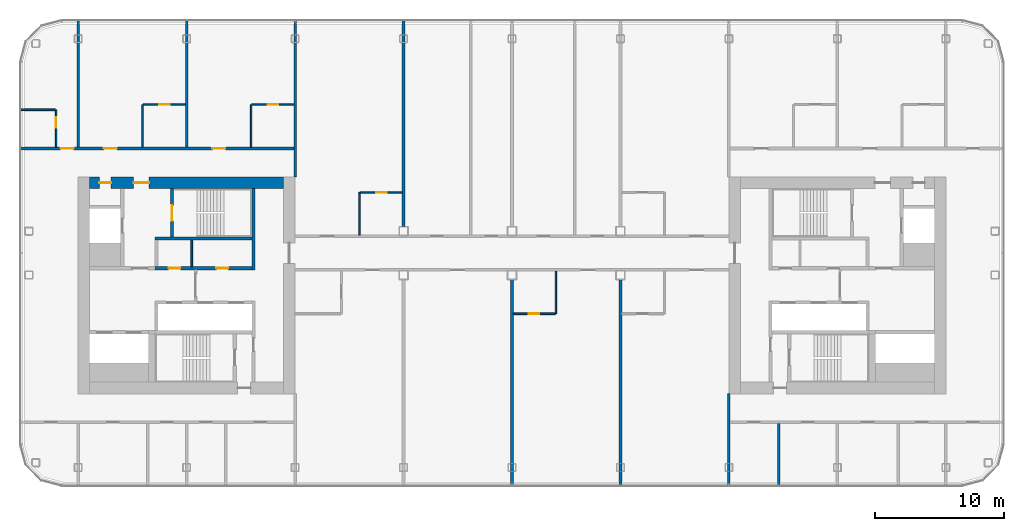
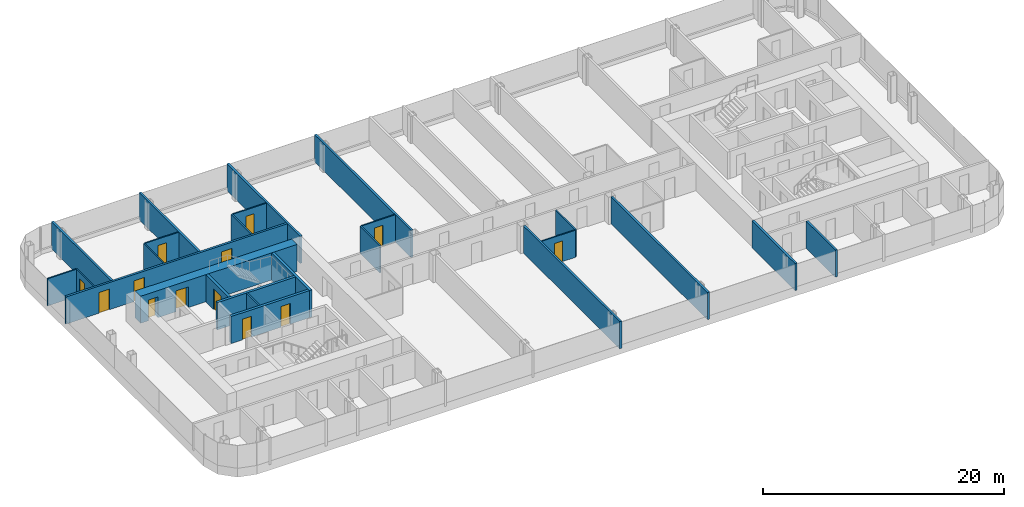
# One storey, part 14 of 25: 25 walls, 13 doors, 13 openings.
"""IFC4 building model written with IfcOpenShell, lengths in metres."""

from ifc_helpers import new_model, si_unit, direction, frame, frame_2d, origin, place, context, subcontext, project, spatial, rectangle, extrude, material, layer, layer_set, type_object, element, fill, save


model = new_model("IFC4")

# Units and contexts
model_context = context("Model", 3, precision=1e-05, world=origin(), true_north=direction((0.0, 1.0)))
body_context = subcontext(model_context, "Body", "Model", "MODEL_VIEW")
ifc_project = project(units=[si_unit("LENGTHUNIT", "METRE"), si_unit("AREAUNIT", "SQUARE_METRE"), si_unit("VOLUMEUNIT", "CUBIC_METRE"), si_unit("PLANEANGLEUNIT", "RADIAN"), si_unit("MASSUNIT", "GRAM", prefix="KILO")], contexts=[model_context])

# Site, building, storey
site_placement = place(None, origin())
site = spatial("IfcSite", under=ifc_project, at=site_placement, CompositionType="ELEMENT")
building_placement = place(site_placement, origin())
building = spatial("IfcBuilding", under=site, at=building_placement, Name="Hakoniwa Tower and Hamabe Station Hall", CompositionType="ELEMENT")
storey_placement = place(building_placement, frame((0.0, 0.0, 186.60009765625)))
storey = spatial("IfcBuildingStorey", under=building, at=storey_placement, Name="L52", CompositionType="ELEMENT", Elevation=186.60009765625)

# Wall, opening, door
ifc_material_1 = material(Name="Gypsum board partition", Category="gypsum")
ifc_layer_1 = layer(ifc_material_1, 0.125)
ifc_layer_set_1 = layer_set([ifc_layer_1], Name="Bathroom Partition 125")
wall_type_1 = type_object("IfcWallType", Name="Bathroom Partition 125", PredefinedType="PARTITIONING", material=ifc_layer_set_1)
wall_1_placement = place(storey_placement, frame((0.10009765625, -2.199951171875, 0.0), z_axis=(0.0, 0.0, 1.0), x_axis=(1.0, 0.0, 0.0)))
wall_1 = element("IfcWall", 1, at=wall_1_placement, inside=storey, type_object=wall_type_1, Name="GW-L52-004", PredefinedType="PARTITIONING", context=body_context, shape_type="SweptSolid", body=[
    extrude(rectangle(XDim=3.2373046875, YDim=0.125, at=frame_2d((1.61865234375, 0.0))), origin(), (0.0, 0.0, 1.0), 2.75),
])
opening_1_placement = place(wall_1_placement, frame((1.199951171875, 0.0, 0.0)))
opening_1 = element("IfcOpeningElement", 2, at=opening_1_placement, cuts=wall_1, Name="Opening GD-G4A0-11", PredefinedType="OPENING", context=body_context, shape_type="SweptSolid", body=[
    extrude(rectangle(XDim=0.800048828125, YDim=2.10009765625, at=frame_2d((0.39990234375, 1.050048828125))), frame((0.0, 0.072509765625, 0.0), z_axis=(0.0, -1.0, 0.0), x_axis=(1.0, 0.0, 0.0)), (0.0, 0.0, 1.0), 0.14501953125),
])
ifc_material_2 = material(Name="Timber door leaf", Category="wood")
door_type_1 = type_object("IfcDoorType", Name="Bathroom Door 800", OperationType="SINGLE_SWING_LEFT", PredefinedType="DOOR", material=ifc_material_2)
door_1_placement = place(opening_1_placement, origin())
door_1 = element("IfcDoor", 3, at=door_1_placement, inside=storey, type_object=door_type_1, Name="Door GD-G4A0-11", OperationType="SINGLE_SWING_RIGHT", OverallHeight=2.10009765625, OverallWidth=0.800048828125, PredefinedType="DOOR", context=body_context, shape_type="SweptSolid", body=[
    extrude(rectangle(XDim=0.800048828125, YDim=2.10009765625, at=frame_2d((0.39990234375, 1.050048828125))), frame((0.0, 0.02490234375, 0.0), z_axis=(0.0, -1.0, 0.0), x_axis=(1.0, 0.0, 0.0)), (0.0, 0.0, 1.0), 0.050048828125),
])
fill(opening_1, door_1)

wall_2_placement = place(storey_placement, frame((-11.737548828125, 7.199951171875, 0.0), z_axis=(0.0, 0.0, 1.0), x_axis=(1.0, 0.0, 0.0)))
wall_2 = element("IfcWall", 4, at=wall_2_placement, inside=storey, type_object=wall_type_1, Name="GW-L52-008", PredefinedType="PARTITIONING", context=body_context, shape_type="SweptSolid", body=[
    extrude(rectangle(XDim=3.237548828125, YDim=0.125, at=frame_2d((1.61865234375, 0.0))), origin(), (0.0, 0.0, 1.0), 2.75),
])
opening_2_placement = place(wall_2_placement, frame((1.237548828125, 0.0, 0.0)))
opening_2 = element("IfcOpeningElement", 5, at=opening_2_placement, cuts=wall_2, Name="Opening GD-G4A0-23", PredefinedType="OPENING", context=body_context, shape_type="SweptSolid", body=[
    extrude(rectangle(XDim=0.800048828125, YDim=2.10009765625, at=frame_2d((0.39990234375, 1.050048828125))), frame((0.0, 0.072509765625, 0.0), z_axis=(0.0, -1.0, 0.0), x_axis=(1.0, 0.0, 0.0)), (0.0, 0.0, 1.0), 0.14501953125),
])
door_2_placement = place(opening_2_placement, origin())
door_2 = element("IfcDoor", 6, at=door_2_placement, inside=storey, type_object=door_type_1, Name="Door GD-G4A0-23", OperationType="SINGLE_SWING_RIGHT", OverallHeight=2.10009765625, OverallWidth=0.800048828125, PredefinedType="DOOR", context=body_context, shape_type="SweptSolid", body=[
    extrude(rectangle(XDim=0.800048828125, YDim=2.10009765625, at=frame_2d((0.39990234375, 1.050048828125))), frame((0.0, 0.02490234375, 0.0), z_axis=(0.0, -1.0, 0.0), x_axis=(1.0, 0.0, 0.0)), (0.0, 0.0, 1.0), 0.050048828125),
])
fill(opening_2, door_2)

# Wall
wall_3_placement = place(storey_placement, frame((-38.10009765625, 13.60009765625, 0.0), z_axis=(0.0, 0.0, 1.0), x_axis=(1.0, 0.0, 0.0)))
element("IfcWall", 7, at=wall_3_placement, inside=storey, type_object=wall_type_1, Name="GW-L52-012", PredefinedType="PARTITIONING", context=body_context, shape_type="SweptSolid", body=[
    extrude(rectangle(XDim=2.737548828125, YDim=0.125, at=frame_2d((1.36865234375, 0.0))), origin(), (0.0, 0.0, 1.0), 2.75),
])

# Wall, opening, door
wall_4_placement = place(storey_placement, frame((-28.53759765625, 14.0, 0.0), z_axis=(0.0, 0.0, 1.0), x_axis=(1.0, 0.0, 0.0)))
wall_4 = element("IfcWall", 8, at=wall_4_placement, inside=storey, type_object=wall_type_1, Name="GW-L52-013", PredefinedType="PARTITIONING", context=body_context, shape_type="SweptSolid", body=[
    extrude(rectangle(XDim=3.237548828125, YDim=0.125, at=frame_2d((1.61865234375, 0.0))), origin(), (0.0, 0.0, 1.0), 2.75),
])
opening_3_placement = place(wall_4_placement, frame((1.237548828125, 0.0, 0.0)))
opening_3 = element("IfcOpeningElement", 9, at=opening_3_placement, cuts=wall_4, Name="Opening GD-G4A0-31", PredefinedType="OPENING", context=body_context, shape_type="SweptSolid", body=[
    extrude(rectangle(XDim=0.800048828125, YDim=2.10009765625, at=frame_2d((0.39990234375, 1.050048828125))), frame((0.0, 0.072509765625, 0.0), z_axis=(0.0, -1.0, 0.0), x_axis=(1.0, 0.0, 0.0)), (0.0, 0.0, 1.0), 0.14501953125),
])
door_3_placement = place(opening_3_placement, origin())
door_3 = element("IfcDoor", 10, at=door_3_placement, inside=storey, type_object=door_type_1, Name="Door GD-G4A0-31", OperationType="SINGLE_SWING_LEFT", OverallHeight=2.10009765625, OverallWidth=0.800048828125, PredefinedType="DOOR", context=body_context, shape_type="SweptSolid", body=[
    extrude(rectangle(XDim=0.800048828125, YDim=2.10009765625, at=frame_2d((0.39990234375, 1.050048828125))), frame((0.0, 0.02490234375, 0.0), z_axis=(0.0, -1.0, 0.0), x_axis=(1.0, 0.0, 0.0)), (0.0, 0.0, 1.0), 0.050048828125),
])
fill(opening_3, door_3)

wall_5_placement = place(storey_placement, frame((-20.137451171875, 14.0, 0.0), z_axis=(0.0, 0.0, 1.0), x_axis=(1.0, 0.0, 0.0)))
wall_5 = element("IfcWall", 11, at=wall_5_placement, inside=storey, type_object=wall_type_1, Name="GW-L52-014", PredefinedType="PARTITIONING", context=body_context, shape_type="SweptSolid", body=[
    extrude(rectangle(XDim=3.237548828125, YDim=0.125, at=frame_2d((1.61865234375, 0.0))), origin(), (0.0, 0.0, 1.0), 2.75),
])
opening_4_placement = place(wall_5_placement, frame((1.237548828125, 0.0, 0.0)))
opening_4 = element("IfcOpeningElement", 12, at=opening_4_placement, cuts=wall_5, Name="Opening GD-G4A0-32", PredefinedType="OPENING", context=body_context, shape_type="SweptSolid", body=[
    extrude(rectangle(XDim=0.800048828125, YDim=2.10009765625, at=frame_2d((0.39990234375, 1.050048828125))), frame((0.0, 0.072509765625, 0.0), z_axis=(0.0, -1.0, 0.0), x_axis=(1.0, 0.0, 0.0)), (0.0, 0.0, 1.0), 0.14501953125),
])
door_4_placement = place(opening_4_placement, origin())
door_4 = element("IfcDoor", 13, at=door_4_placement, inside=storey, type_object=door_type_1, Name="Door GD-G4A0-32", OperationType="SINGLE_SWING_RIGHT", OverallHeight=2.10009765625, OverallWidth=0.800048828125, PredefinedType="DOOR", context=body_context, shape_type="SweptSolid", body=[
    extrude(rectangle(XDim=0.800048828125, YDim=2.10009765625, at=frame_2d((0.39990234375, 1.050048828125))), frame((0.0, 0.02490234375, 0.0), z_axis=(0.0, -1.0, 0.0), x_axis=(1.0, 0.0, 0.0)), (0.0, 0.0, 1.0), 0.050048828125),
])
fill(opening_4, door_4)

wall_6_placement = place(storey_placement, frame((-35.300048828125, 10.699951171875, 0.0), z_axis=(0.0, 0.0, 1.0), x_axis=(0.0, 1.0, 0.0)))
wall_6 = element("IfcWall", 14, at=wall_6_placement, inside=storey, type_object=wall_type_1, Name="GW-L52-017", PredefinedType="PARTITIONING", context=body_context, shape_type="SweptSolid", body=[
    extrude(rectangle(XDim=2.900146484375, YDim=0.125, at=frame_2d((1.4501953125, 0.0))), origin(), (0.0, 0.0, 1.0), 2.75),
])
opening_5_placement = place(wall_6_placement, frame((1.5, 0.0, 0.0)))
opening_5 = element("IfcOpeningElement", 15, at=opening_5_placement, cuts=wall_6, Name="Opening GD-G4A0-35", PredefinedType="OPENING", context=body_context, shape_type="SweptSolid", body=[
    extrude(rectangle(XDim=0.800048828125, YDim=2.10009765625, at=frame_2d((0.39990234375, 1.050048828125))), frame((0.0, 0.072509765625, 0.0), z_axis=(0.0, -1.0, 0.0), x_axis=(1.0, 0.0, 0.0)), (0.0, 0.0, 1.0), 0.14501953125),
])
door_5_placement = place(opening_5_placement, origin())
door_5 = element("IfcDoor", 16, at=door_5_placement, inside=storey, type_object=door_type_1, Name="Door GD-G4A0-35", OperationType="SINGLE_SWING_LEFT", OverallHeight=2.10009765625, OverallWidth=0.800048828125, PredefinedType="DOOR", context=body_context, shape_type="SweptSolid", body=[
    extrude(rectangle(XDim=0.800048828125, YDim=2.10009765625, at=frame_2d((0.39990234375, 1.050048828125))), frame((0.0, 0.02490234375, 0.0), z_axis=(0.0, -1.0, 0.0), x_axis=(1.0, 0.0, 0.0)), (0.0, 0.0, 1.0), 0.050048828125),
])
fill(opening_5, door_5)

# Walls
for number, where, z_axis, x_axis, name in (
    (17, (-28.60009765625, 10.699951171875, 0.0), (0.0, 0.0, 1.0), (0.0, 1.0, 0.0), "GW-L52-020"),
    (18, (-20.199951171875, 10.699951171875, 0.0), (0.0, 0.0, 1.0), (0.0, 1.0, 0.0), "GW-L52-025"),
    (19, (-11.800048828125, 3.89990234375, 0.0), (0.0, 0.0, 1.0), (0.0, 1.0, 0.0), "GW-L52-029"),
    (20, (3.39990234375, -2.199951171875, 0.0), (0.0, 0.0, 1.0), (0.0, 1.0, 0.0), "GW-L52-035"),
):
    element("IfcWall", number, at=place(storey_placement, frame(where, z_axis=z_axis, x_axis=x_axis)), inside=storey, type_object=wall_type_1, Name=name, PredefinedType="PARTITIONING", context=body_context, shape_type="SweptSolid", body=[
        extrude(rectangle(XDim=3.300048828125, YDim=0.125, at=frame_2d((1.64990234375, 0.0))), origin(), (0.0, 0.0, 1.0), 2.75),
    ])
ifc_material_3 = material(Name="Gypsum board partition")
ifc_layer_2 = layer(ifc_material_3, 0.14990234375)
ifc_layer_set_2 = layer_set([ifc_layer_2], Name="CORE PARTITION 150 EI 60")
wall_type_2 = type_object("IfcWallType", Name="CORE PARTITION 150 EI 60", PredefinedType="PARTITIONING", material=ifc_layer_set_2)
wall_7_placement = place(storey_placement, frame((-24.800048828125, 1.449951171875, 0.0), z_axis=(0.0, 0.0, 1.0), x_axis=(0.0, 1.0, 0.0)))
element("IfcWall", 21, at=wall_7_placement, inside=storey, type_object=wall_type_2, Name="Core partition PFLR0 west", PredefinedType="PARTITIONING", context=body_context, shape_type="SweptSolid", body=[
    extrude(rectangle(XDim=2.050048828125, YDim=0.14990234375, at=frame_2d((1.02490234375, 0.0))), origin(), (0.0, 0.0, 1.0), 2.75),
])

# Wall, openings, doors
ifc_material_4 = material(Name="Concrete C60", Category="concrete")
ifc_layer_3 = layer(ifc_material_4, 0.89990234375)
ifc_layer_set_3 = layer_set([ifc_layer_3], Name="CORE WALL 900 C60")
wall_type_3 = type_object("IfcWallType", Name="CORE WALL 900 C60", PredefinedType="SHEAR", material=ifc_layer_set_3)
wall_8_placement = place(storey_placement, frame((-32.699951171875, 7.949951171875, 0.0), z_axis=(0.0, 0.0, 1.0), x_axis=(1.0, 0.0, 0.0)))
wall_8 = element("IfcWall", 22, at=wall_8_placement, inside=storey, type_object=wall_type_3, Name="Core wall NORTH west", PredefinedType="SHEAR", context=body_context, shape_type="SweptSolid", body=[
    extrude(rectangle(XDim=15.0, YDim=0.89990234375, at=frame_2d((7.5, 0.0))), origin(), (0.0, 0.0, 1.0), 2.75),
])
opening_6_placement = place(wall_8_placement, frame((3.39990234375, 0.0, 0.0)))
opening_6 = element("IfcOpeningElement", 23, at=opening_6_placement, cuts=wall_8, Name="Opening CD-W-FN1-12", PredefinedType="OPENING", context=body_context, shape_type="SweptSolid", body=[
    extrude(rectangle(XDim=1.199951171875, YDim=2.10009765625, at=frame_2d((0.60009765625, 1.050048828125))), frame((0.0, 0.4599609375, 0.0), z_axis=(0.0, -1.0, 0.0), x_axis=(1.0, 0.0, 0.0)), (0.0, 0.0, 1.0), 0.919921875),
])
opening_7_placement = place(wall_8_placement, frame((0.75, 0.0, 0.0)))
opening_7 = element("IfcOpeningElement", 24, at=opening_7_placement, cuts=wall_8, Name="Opening CD-W-FN2-9", PredefinedType="OPENING", context=body_context, shape_type="SweptSolid", body=[
    extrude(rectangle(XDim=0.89990234375, YDim=2.10009765625, at=frame_2d((0.449951171875, 1.050048828125))), frame((0.0, 0.4599609375, 0.0), z_axis=(0.0, -1.0, 0.0), x_axis=(1.0, 0.0, 0.0)), (0.0, 0.0, 1.0), 0.919921875),
])
ifc_material_5 = material(Name="Steel fire door", Category="steel")
door_type_2 = type_object("IfcDoorType", Name="CORE DOOR 1200 FD60", OperationType="DOUBLE_DOOR_SINGLE_SWING", PredefinedType="DOOR", material=ifc_material_5)
door_6_placement = place(opening_6_placement, origin())
door_6 = element("IfcDoor", 25, at=door_6_placement, inside=storey, type_object=door_type_2, Name="Stair vestibule door to the fire-fighting lobby", OperationType="DOUBLE_DOOR_SINGLE_SWING", OverallHeight=2.10009765625, OverallWidth=1.199951171875, PredefinedType="DOOR", context=body_context, shape_type="SweptSolid", body=[
    extrude(rectangle(XDim=1.199951171875, YDim=2.10009765625, at=frame_2d((0.60009765625, 1.050048828125))), frame((0.0, 0.02490234375, 0.0), z_axis=(0.0, -1.0, 0.0), x_axis=(1.0, 0.0, 0.0)), (0.0, 0.0, 1.0), 0.050048828125),
])
fill(opening_6, door_6)
ifc_material_6 = material(Name="Steel fire door", Category="steel")
door_type_3 = type_object("IfcDoorType", Name="CORE DOOR 900 FD30", OperationType="NOTDEFINED", PredefinedType="DOOR", material=ifc_material_6)
door_7_placement = place(opening_7_placement, origin())
door_7 = element("IfcDoor", 26, at=door_7_placement, inside=storey, type_object=door_type_3, Name="Riser access door", OperationType="SINGLE_SWING_LEFT", OverallHeight=2.10009765625, OverallWidth=0.89990234375, PredefinedType="DOOR", context=body_context, shape_type="SweptSolid", body=[
    extrude(rectangle(XDim=0.89990234375, YDim=2.10009765625, at=frame_2d((0.449951171875, 1.050048828125))), frame((0.0, 0.02490234375, 0.0), z_axis=(0.0, -1.0, 0.0), x_axis=(1.0, 0.0, 0.0)), (0.0, 0.0, 1.0), 0.050048828125),
])
fill(opening_7, door_7)

# Wall
ifc_material_7 = material(Name="Concrete C60", Category="concrete")
ifc_layer_4 = layer(ifc_material_7, 0.25)
ifc_layer_set_4 = layer_set([ifc_layer_4], Name="CORE WEB WALL 250 C60")
wall_type_4 = type_object("IfcWallType", Name="CORE WEB WALL 250 C60", PredefinedType="SHEAR", material=ifc_layer_set_4)
wall_9_placement = place(storey_placement, frame((-20.02490234375, 1.199951171875, 0.0), z_axis=(0.0, 0.0, 1.0), x_axis=(0.0, 1.0, 0.0)))
element("IfcWall", 27, at=wall_9_placement, inside=storey, type_object=wall_type_4, Name="Core wall W1N west", PredefinedType="SHEAR", context=body_context, shape_type="SweptSolid", body=[
    extrude(rectangle(XDim=6.300048828125, YDim=0.25, at=frame_2d((3.14990234375, 0.0))), origin(), (0.0, 0.0, 1.0), 2.75),
])

# Wall, openings, doors
wall_10_placement = place(storey_placement, frame((-27.64990234375, 1.324951171875, 0.0), z_axis=(0.0, 0.0, 1.0), x_axis=(1.0, 0.0, 0.0)))
wall_10 = element("IfcWall", 28, at=wall_10_placement, inside=storey, type_object=wall_type_4, Name="Core wall NF west", PredefinedType="SHEAR", context=body_context, shape_type="SweptSolid", body=[
    extrude(rectangle(XDim=7.5, YDim=0.25, at=frame_2d((3.75, 0.0))), origin(), (0.0, 0.0, 1.0), 2.75),
])
opening_8_placement = place(wall_10_placement, frame((4.762451171875, 0.0, 0.0)))
opening_8 = element("IfcOpeningElement", 29, at=opening_8_placement, cuts=wall_10, Name="Opening CD-W-FRLR0-9", PredefinedType="OPENING", context=body_context, shape_type="SweptSolid", body=[
    extrude(rectangle(XDim=0.89990234375, YDim=2.10009765625, at=frame_2d((0.449951171875, 1.050048828125))), frame((0.0, 0.135009765625, 0.0), z_axis=(0.0, -1.0, 0.0), x_axis=(1.0, 0.0, 0.0)), (0.0, 0.0, 1.0), 0.27001953125),
])
opening_9_placement = place(wall_10_placement, frame((1.0625, 0.0, 0.0)))
opening_9 = element("IfcOpeningElement", 30, at=opening_9_placement, cuts=wall_10, Name="Opening CD-W-FRLR1-9", PredefinedType="OPENING", context=body_context, shape_type="SweptSolid", body=[
    extrude(rectangle(XDim=0.89990234375, YDim=2.10009765625, at=frame_2d((0.449951171875, 1.050048828125))), frame((0.0, 0.135009765625, 0.0), z_axis=(0.0, -1.0, 0.0), x_axis=(1.0, 0.0, 0.0)), (0.0, 0.0, 1.0), 0.27001953125),
])
door_8_placement = place(opening_8_placement, origin())
door_8 = element("IfcDoor", 31, at=door_8_placement, inside=storey, type_object=door_type_3, Name="Store room door", OperationType="SINGLE_SWING_RIGHT", OverallHeight=2.10009765625, OverallWidth=0.89990234375, PredefinedType="DOOR", context=body_context, shape_type="SweptSolid", body=[
    extrude(rectangle(XDim=0.89990234375, YDim=2.10009765625, at=frame_2d((0.449951171875, 1.050048828125))), frame((0.0, 0.02490234375, 0.0), z_axis=(0.0, -1.0, 0.0), x_axis=(1.0, 0.0, 0.0)), (0.0, 0.0, 1.0), 0.050048828125),
])
fill(opening_8, door_8)
door_9_placement = place(opening_9_placement, origin())
door_9 = element("IfcDoor", 32, at=door_9_placement, inside=storey, type_object=door_type_3, Name="Store room door", OperationType="SINGLE_SWING_LEFT", OverallHeight=2.10009765625, OverallWidth=0.89990234375, PredefinedType="DOOR", context=body_context, shape_type="SweptSolid", body=[
    extrude(rectangle(XDim=0.89990234375, YDim=2.10009765625, at=frame_2d((0.449951171875, 1.050048828125))), frame((0.0, 0.02490234375, 0.0), z_axis=(0.0, -1.0, 0.0), x_axis=(1.0, 0.0, 0.0)), (0.0, 0.0, 1.0), 0.050048828125),
])
fill(opening_9, door_9)

# Wall
wall_11_placement = place(storey_placement, frame((-27.64990234375, 3.625, 0.0), z_axis=(0.0, 0.0, 1.0), x_axis=(1.0, 0.0, 0.0)))
element("IfcWall", 33, at=wall_11_placement, inside=storey, type_object=wall_type_4, Name="Core wall NR west", PredefinedType="SHEAR", context=body_context, shape_type="SweptSolid", body=[
    extrude(rectangle(XDim=7.5, YDim=0.25, at=frame_2d((3.75, 0.0))), origin(), (0.0, 0.0, 1.0), 2.75),
])

# Wall, opening, door
wall_12_placement = place(storey_placement, frame((-26.324951171875, 3.75, 0.0), z_axis=(0.0, 0.0, 1.0), x_axis=(0.0, 1.0, 0.0)))
wall_12 = element("IfcWall", 34, at=wall_12_placement, inside=storey, type_object=wall_type_4, Name="Core wall NSE west", PredefinedType="SHEAR", context=body_context, shape_type="SweptSolid", body=[
    extrude(rectangle(XDim=3.75, YDim=0.25, at=frame_2d((1.875, 0.0))), origin(), (0.0, 0.0, 1.0), 2.75),
])
opening_10_placement = place(wall_12_placement, frame((1.25, 0.0, 0.0)))
opening_10 = element("IfcOpeningElement", 35, at=opening_10_placement, cuts=wall_12, Name="Opening CD-W-SN-12", PredefinedType="OPENING", context=body_context, shape_type="SweptSolid", body=[
    extrude(rectangle(XDim=1.199951171875, YDim=2.10009765625, at=frame_2d((0.60009765625, 1.050048828125))), frame((0.0, 0.135009765625, 0.0), z_axis=(0.0, -1.0, 0.0), x_axis=(1.0, 0.0, 0.0)), (0.0, 0.0, 1.0), 0.27001953125),
])
door_10_placement = place(opening_10_placement, origin())
door_10 = element("IfcDoor", 36, at=door_10_placement, inside=storey, type_object=door_type_2, Name="Escape stair door", OperationType="DOUBLE_DOOR_SINGLE_SWING", OverallHeight=2.10009765625, OverallWidth=1.199951171875, PredefinedType="DOOR", context=body_context, shape_type="SweptSolid", body=[
    extrude(rectangle(XDim=1.199951171875, YDim=2.10009765625, at=frame_2d((0.60009765625, 1.050048828125))), frame((0.0, 0.02490234375, 0.0), z_axis=(0.0, -1.0, 0.0), x_axis=(1.0, 0.0, 0.0)), (0.0, 0.0, 1.0), 0.050048828125),
])
fill(opening_10, door_10)

# Wall, openings, doors
ifc_material_8 = material(Name="Fire-rated gypsum board partition", Category="gypsum")
ifc_layer_5 = layer(ifc_material_8, 0.199951171875)
ifc_layer_set_5 = layer_set([ifc_layer_5], Name="Corridor Wall 200")
wall_type_5 = type_object("IfcWallType", Name="Corridor Wall 200", PredefinedType="PARTITIONING", material=ifc_layer_set_5)
wall_13_placement = place(storey_placement, frame((-38.10009765625, 10.60009765625, 0.0), z_axis=(0.0, 0.0, 1.0), x_axis=(1.0, 0.0, 0.0)))
wall_13 = element("IfcWall", 37, at=wall_13_placement, inside=storey, type_object=wall_type_5, Name="GW-L52-010", PredefinedType="PARTITIONING", context=body_context, shape_type="SweptSolid", body=[
    extrude(rectangle(XDim=21.300048828125, YDim=0.199951171875, at=frame_2d((10.64990234375, 0.0))), origin(), (0.0, 0.0, 1.0), 2.75),
])
opening_11_placement = place(wall_13_placement, frame((3.14990234375, 0.0, 0.0)))
opening_11 = element("IfcOpeningElement", 38, at=opening_11_placement, cuts=wall_13, Name="Opening GD-G4A0-25", PredefinedType="OPENING", context=body_context, shape_type="SweptSolid", body=[
    extrude(rectangle(XDim=1.0, YDim=2.10009765625, at=frame_2d((0.5, 1.050048828125))), frame((0.0, 0.10986328125, 0.0), z_axis=(0.0, -1.0, 0.0), x_axis=(1.0, 0.0, 0.0)), (0.0, 0.0, 1.0), 0.219970703125),
])
opening_12_placement = place(wall_13_placement, frame((6.5, 0.0, 0.0)))
opening_12 = element("IfcOpeningElement", 39, at=opening_12_placement, cuts=wall_13, Name="Opening GD-G4A0-26", PredefinedType="OPENING", context=body_context, shape_type="SweptSolid", body=[
    extrude(rectangle(XDim=1.0, YDim=2.10009765625, at=frame_2d((0.5, 1.050048828125))), frame((0.0, 0.10986328125, 0.0), z_axis=(0.0, -1.0, 0.0), x_axis=(1.0, 0.0, 0.0)), (0.0, 0.0, 1.0), 0.219970703125),
])
opening_13_placement = place(wall_13_placement, frame((14.89990234375, 0.0, 0.0)))
opening_13 = element("IfcOpeningElement", 40, at=opening_13_placement, cuts=wall_13, Name="Opening GD-G4A0-27", PredefinedType="OPENING", context=body_context, shape_type="SweptSolid", body=[
    extrude(rectangle(XDim=1.0, YDim=2.10009765625, at=frame_2d((0.5, 1.050048828125))), frame((0.0, 0.10986328125, 0.0), z_axis=(0.0, -1.0, 0.0), x_axis=(1.0, 0.0, 0.0)), (0.0, 0.0, 1.0), 0.219970703125),
])
ifc_material_9 = material(Name="Timber door leaf", Category="wood")
door_type_4 = type_object("IfcDoorType", Name="Guest Entrance Door 1000", OperationType="SINGLE_SWING_LEFT", PredefinedType="DOOR", material=ifc_material_9)
door_11_placement = place(opening_11_placement, origin())
door_11 = element("IfcDoor", 41, at=door_11_placement, inside=storey, type_object=door_type_4, Name="Door GD-G4A0-25", OperationType="SINGLE_SWING_LEFT", OverallHeight=2.10009765625, OverallWidth=1.0, PredefinedType="DOOR", context=body_context, shape_type="SweptSolid", body=[
    extrude(rectangle(XDim=1.0, YDim=2.10009765625, at=frame_2d((0.5, 1.050048828125))), frame((0.0, 0.02490234375, 0.0), z_axis=(0.0, -1.0, 0.0), x_axis=(1.0, 0.0, 0.0)), (0.0, 0.0, 1.0), 0.050048828125),
])
fill(opening_11, door_11)
door_12_placement = place(opening_12_placement, origin())
door_12 = element("IfcDoor", 42, at=door_12_placement, inside=storey, type_object=door_type_4, Name="Door GD-G4A0-26", OperationType="SINGLE_SWING_RIGHT", OverallHeight=2.10009765625, OverallWidth=1.0, PredefinedType="DOOR", context=body_context, shape_type="SweptSolid", body=[
    extrude(rectangle(XDim=1.0, YDim=2.10009765625, at=frame_2d((0.5, 1.050048828125))), frame((0.0, 0.02490234375, 0.0), z_axis=(0.0, -1.0, 0.0), x_axis=(1.0, 0.0, 0.0)), (0.0, 0.0, 1.0), 0.050048828125),
])
fill(opening_12, door_12)
door_13_placement = place(opening_13_placement, origin())
door_13 = element("IfcDoor", 43, at=door_13_placement, inside=storey, type_object=door_type_4, Name="Door GD-G4A0-27", OperationType="SINGLE_SWING_LEFT", OverallHeight=2.10009765625, OverallWidth=1.0, PredefinedType="DOOR", context=body_context, shape_type="SweptSolid", body=[
    extrude(rectangle(XDim=1.0, YDim=2.10009765625, at=frame_2d((0.5, 1.050048828125))), frame((0.0, 0.02490234375, 0.0), z_axis=(0.0, -1.0, 0.0), x_axis=(1.0, 0.0, 0.0)), (0.0, 0.0, 1.0), 0.050048828125),
])
fill(opening_13, door_13)

# Walls
ifc_material_10 = material(Name="Fire-rated gypsum board partition", Category="gypsum")
ifc_layer_6 = layer(ifc_material_10, 0.199951171875)
ifc_layer_set_6 = layer_set([ifc_layer_6], Name="Party Wall 200")
wall_type_6 = type_object("IfcWallType", Name="Party Wall 200", PredefinedType="PARTITIONING", material=ifc_layer_set_6)
for number, where, z_axis, x_axis, name in (
    (44, (-33.60009765625, 10.699951171875, 0.0), (0.0, 0.0, 1.0), (0.0, 1.0, 0.0), "GW-L52-019"),
    (45, (-25.199951171875, 10.699951171875, 0.0), (0.0, 0.0, 1.0), (0.0, 1.0, 0.0), "GW-L52-023"),
):
    element("IfcWall", number, at=place(storey_placement, frame(where, z_axis=z_axis, x_axis=x_axis)), inside=storey, type_object=wall_type_6, Name=name, PredefinedType="PARTITIONING", context=body_context, shape_type="SweptSolid", body=[
        extrude(rectangle(XDim=9.85009765625, YDim=0.199951171875, at=frame_2d((4.925048828125, 0.0))), origin(), (0.0, 0.0, 1.0), 2.75),
    ])
wall_14_placement = place(storey_placement, frame((-16.800048828125, 8.389892578125, 0.0), z_axis=(0.0, 0.0, 1.0), x_axis=(0.0, 1.0, 0.0)))
element("IfcWall", 46, at=wall_14_placement, inside=storey, type_object=wall_type_6, Name="GW-L52-027", PredefinedType="PARTITIONING", context=body_context, shape_type="SweptSolid", body=[
    extrude(rectangle(XDim=12.16015625, YDim=0.199951171875, at=frame_2d((6.080078125, 0.0))), origin(), (0.0, 0.0, 1.0), 2.75),
])
for number, where, z_axis, x_axis, name in (
    (47, (-8.39990234375, 4.5400390625, 0.0), (0.0, 0.0, 1.0), (0.0, 1.0, 0.0), "GW-L52-031"),
    (48, (0.0, -15.550048828125, 0.0), (0.0, 0.0, 1.0), (0.0, 1.0, 0.0), "GW-L52-033"),
    (49, (8.39990234375, -15.550048828125, 0.0), (0.0, 0.0, 1.0), (0.0, 1.0, 0.0), "GW-L52-037"),
):
    element("IfcWall", number, at=place(storey_placement, frame(where, z_axis=z_axis, x_axis=x_axis)), inside=storey, type_object=wall_type_6, Name=name, PredefinedType="PARTITIONING", context=body_context, shape_type="SweptSolid", body=[
        extrude(rectangle(XDim=16.010009765625, YDim=0.199951171875, at=frame_2d((8.0048828125, 0.0))), origin(), (0.0, 0.0, 1.0), 2.75),
    ])
wall_15_placement = place(storey_placement, frame((16.800048828125, -15.550048828125, 0.0), z_axis=(0.0, 0.0, 1.0), x_axis=(0.0, 1.0, 0.0)))
element("IfcWall", 50, at=wall_15_placement, inside=storey, type_object=wall_type_6, Name="GW-L52-041", PredefinedType="PARTITIONING", context=body_context, shape_type="SweptSolid", body=[
    extrude(rectangle(XDim=7.16015625, YDim=0.199951171875, at=frame_2d((3.580078125, 0.0))), origin(), (0.0, 0.0, 1.0), 2.75),
])
wall_16_placement = place(storey_placement, frame((20.659912109375, -15.550048828125, 0.0), z_axis=(0.0, 0.0, 1.0), x_axis=(0.0, 1.0, 0.0)))
element("IfcWall", 51, at=wall_16_placement, inside=storey, type_object=wall_type_6, Name="GW-L52-043", PredefinedType="PARTITIONING", context=body_context, shape_type="SweptSolid", body=[
    extrude(rectangle(XDim=4.85009765625, YDim=0.199951171875, at=frame_2d((2.425048828125, 0.0))), origin(), (0.0, 0.0, 1.0), 2.75),
])

save(model, "model.ifc")
